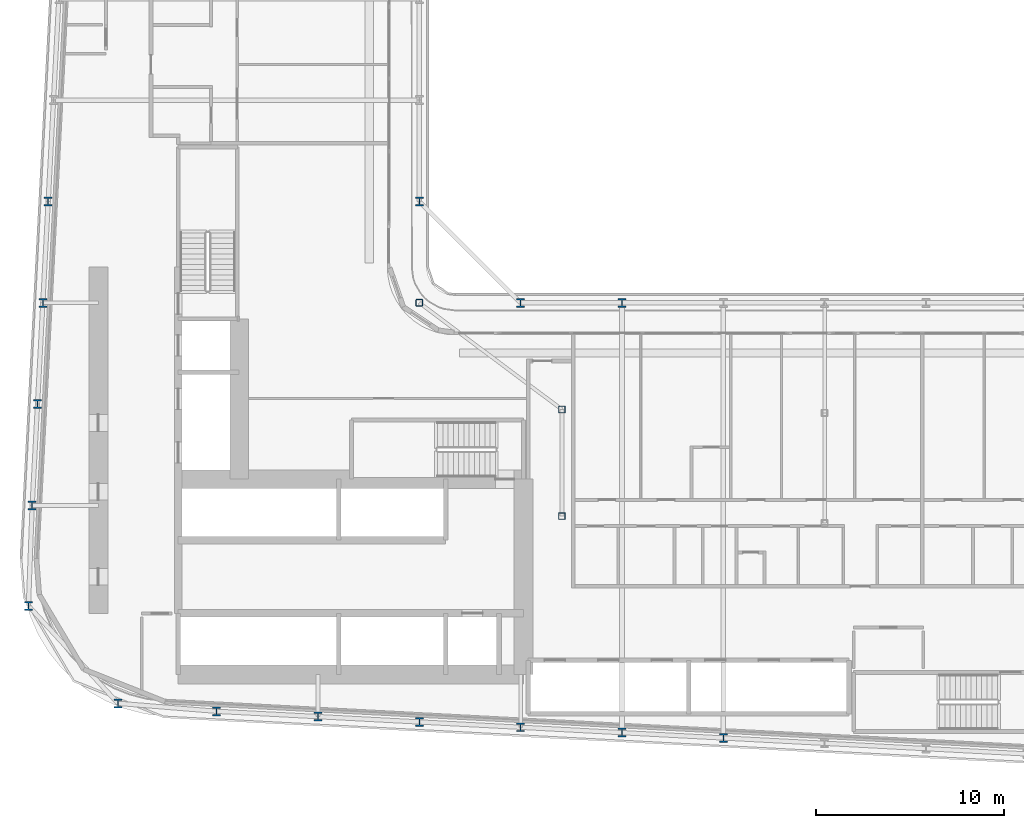
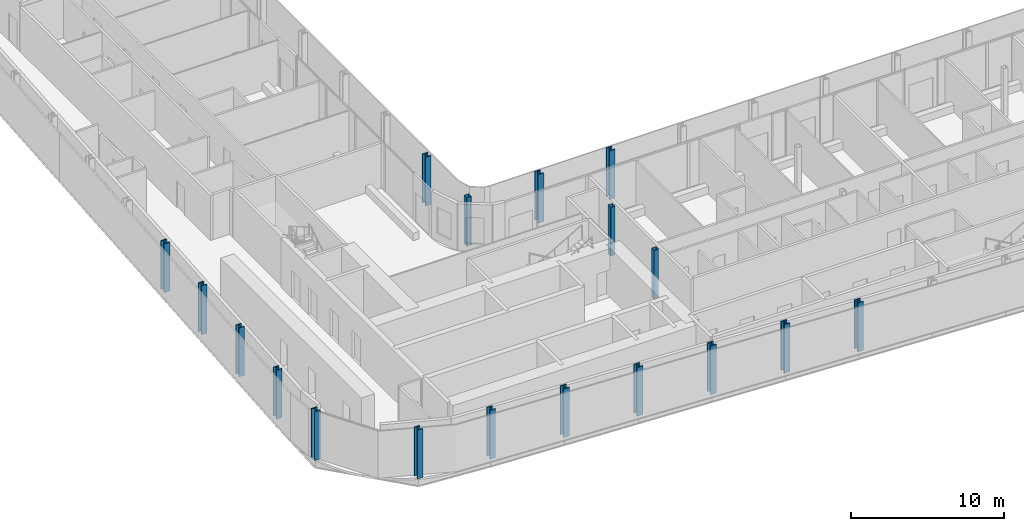
# One storey, part 1 of 29: 18 columns.
"""IFC4 building model written with IfcOpenShell, lengths in metres."""

from ifc_helpers import new_model, si_unit, direction, frame, origin, origin_2d, place, context, subcontext, project, spatial, hollow_rectangle, i_section, extrude, material, material_profile, profile_set, type_object, element, save


model = new_model("IFC4")

# Units and contexts
model_context = context("Model", 3, precision=1e-05, world=origin(), true_north=direction((0.0, 1.0)))
body_context = subcontext(model_context, "Body", "Model", "MODEL_VIEW")
ifc_project = project(units=[si_unit("LENGTHUNIT", "METRE"), si_unit("AREAUNIT", "SQUARE_METRE"), si_unit("VOLUMEUNIT", "CUBIC_METRE"), si_unit("PLANEANGLEUNIT", "RADIAN"), si_unit("MASSUNIT", "GRAM", prefix="KILO")], contexts=[model_context])

# Site, building, storey
site_placement = place(None, origin())
site = spatial("IfcSite", under=ifc_project, at=site_placement, CompositionType="ELEMENT")
building_placement = place(site_placement, origin())
building = spatial("IfcBuilding", under=site, at=building_placement, Name="Kheshtan School and Residences Tower", CompositionType="ELEMENT")
storey_placement = place(building_placement, frame((0.0, 0.0, 61.699951171875)))
storey = spatial("IfcBuildingStorey", under=building, at=storey_placement, Name="L14", CompositionType="ELEMENT", Elevation=61.699951171875)

# Columns
ifc_material_1 = material(Name="Steel ASTM A992 Grade 50", Category="steel")
ifc_material_profile_1 = material_profile(ifc_material_1, i_section(OverallWidth=0.424072265625, OverallDepth=0.47412109375, WebThickness=0.047607421875, FlangeThickness=0.0771484375, FilletRadius=0.01416015625, at=origin_2d()), Name="W360x634")
ifc_profile_set_1 = profile_set([ifc_material_profile_1], Name="Steel ASTM A992 Grade 50")
column_type_1 = type_object("IfcColumnType", Name="Column C1 W360x634 ASTM A992 Grade 50", PredefinedType="COLUMN", material=ifc_profile_set_1)
for number, where, z_axis, x_axis, name in (
    (1, (63.800048828125, 22.410888671875, 0.0), (0.0, 0.0, 1.0), (1.0, 0.0, 0.0), "Column C016"),
    (2, (58.39990234375, 22.695068359375, 0.0), (0.0, 0.0, 1.0), (1.0, 0.0, 0.0), "Column C018"),
    (3, (53.0, 22.97998046875, 0.0), (0.0, 0.0, 1.0), (1.0, 0.0, 0.0), "Column C019"),
    (4, (47.60009765625, 23.263916015625, 0.0), (0.0, 0.0, 1.0), (1.0, 0.0, 0.0), "Column C020"),
    (5, (42.199951171875, 23.548095703125, 0.0), (0.0, 0.0, 1.0), (1.0, 0.0, 0.0), "Column C021"),
    (6, (36.800048828125, 23.83203125, 0.0), (0.0, 0.0, 1.0), (1.0, 0.0, 0.0), "Column C022"),
    (7, (31.5419921875, 24.257080078125, 0.0), (0.0, 0.0, 1.0), (1.0, 0.0, 0.0), "Column C025"),
    (8, (26.76904296875, 29.4541015625, 0.0), (0.0, 0.0, 1.0), (1.0, 0.0, 0.0), "Column C038"),
    (9, (26.968994140625, 34.800048828125, 0.0), (0.0, 0.0, 1.0), (1.0, 0.0, 0.0), "Column C052"),
    (10, (27.2529296875, 40.199951171875, 0.0), (0.0, 0.0, 1.0), (1.0, 0.0, 0.0), "Column C056"),
    (11, (27.537109375, 45.60009765625, 0.0), (0.0, 0.0, 1.0), (1.0, 0.0, 0.0), "Column C059"),
    (12, (53.0, 45.60009765625, 0.0), (0.0, 0.0, 1.0), (1.0, 0.0, 0.0), "Column C061"),
    (13, (58.39990234375, 45.60009765625, 0.0), (0.0, 0.0, 1.0), (1.0, 0.0, 0.0), "Column C062"),
    (14, (27.822021484375, 51.0, 0.0), (0.0, 0.0, 1.0), (1.0, 0.0, 0.0), "Column C078"),
    (15, (47.60009765625, 51.0, 0.0), (0.0, 0.0, 1.0), (1.0, 0.0, 0.0), "Column C079"),
):
    element("IfcColumn", number, at=place(storey_placement, frame(where, z_axis=z_axis, x_axis=x_axis)), inside=storey, type_object=column_type_1, Name=name, PredefinedType="COLUMN", context=body_context, shape_type="SweptSolid", body=[
        extrude(i_section(OverallWidth=0.424072265625, OverallDepth=0.47412109375, WebThickness=0.047607421875, FlangeThickness=0.0771484375, FilletRadius=0.01416015625, at=origin_2d()), origin(), (0.0, 0.0, 1.0), 3.900146484375),
    ])
ifc_material_2 = material(Name="Steel ASTM A500 Grade C", Category="steel")
ifc_material_profile_2 = material_profile(ifc_material_2, hollow_rectangle(XDim=0.35595703125, YDim=0.35595703125, WallThickness=0.015869140625, InnerFilletRadius=0.015869140625, OuterFilletRadius=0.03173828125, at=origin_2d()), Name="HSS 356x356x15.9")
ifc_profile_set_2 = profile_set([ifc_material_profile_2], Name="Steel ASTM A500 Grade C")
column_type_2 = type_object("IfcColumnType", Name="Column IC1 HSS 356x356x15.9 ASTM A500 Grade C", PredefinedType="COLUMN", material=ifc_profile_set_2)
for number, where, z_axis, x_axis, name in (
    (16, (55.199951171875, 34.23193359375, 0.0), (0.0, 0.0, 1.0), (1.0, 0.0, 0.0), "Column C051"),
    (17, (55.199951171875, 39.916015625, 0.0), (0.0, 0.0, 1.0), (1.0, 0.0, 0.0), "Column C055"),
    (18, (47.60009765625, 45.60009765625, 0.0), (0.0, 0.0, 1.0), (1.0, 0.0, 0.0), "Column C060"),
):
    element("IfcColumn", number, at=place(storey_placement, frame(where, z_axis=z_axis, x_axis=x_axis)), inside=storey, type_object=column_type_2, Name=name, PredefinedType="COLUMN", context=body_context, shape_type="SweptSolid", body=[
        extrude(hollow_rectangle(XDim=0.35595703125, YDim=0.35595703125, WallThickness=0.015869140625, InnerFilletRadius=0.015869140625, OuterFilletRadius=0.03173828125, at=origin_2d()), origin(), (0.0, 0.0, 1.0), 3.900146484375),
    ])

save(model, "model.ifc")
